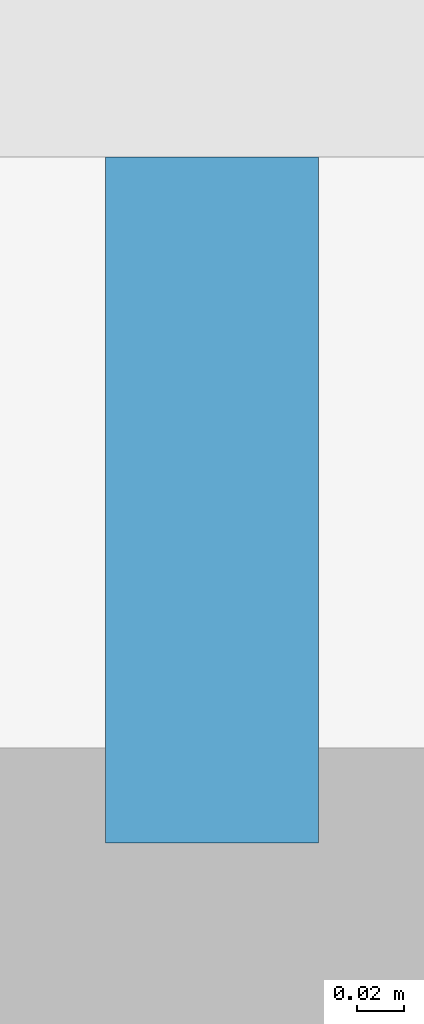
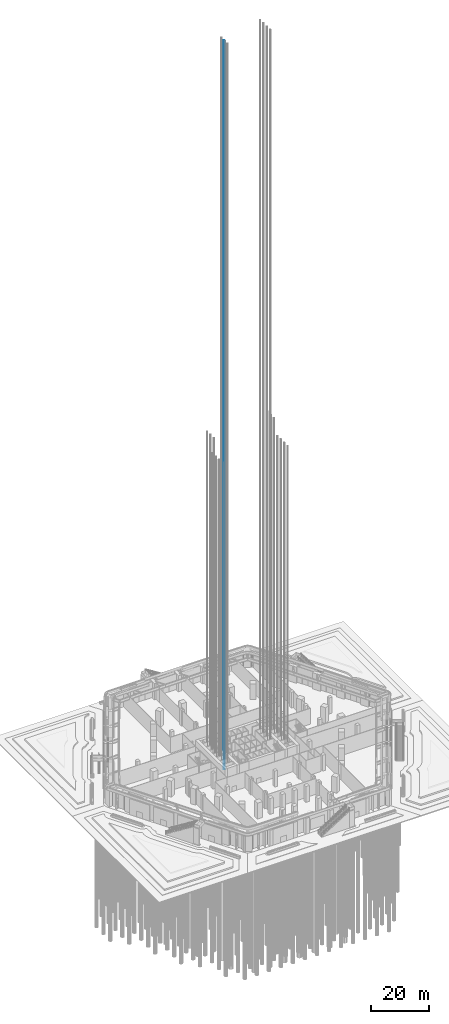
# One storey, part 41 of 68: 1 discrete accessory.
"""IFC4 building model written with IfcOpenShell, lengths in metres."""

from ifc_helpers import new_model, si_unit, direction, frame, origin, origin_2d, place, context, subcontext, project, spatial, rectangle, extrude, element, save


model = new_model("IFC4")

# Units and contexts
model_context = context("Model", 3, precision=1e-05, world=origin(), true_north=direction((0.0, 1.0)))
body_context = subcontext(model_context, "Body", "Model", "MODEL_VIEW")
ifc_project = project(units=[si_unit("LENGTHUNIT", "METRE"), si_unit("AREAUNIT", "SQUARE_METRE"), si_unit("VOLUMEUNIT", "CUBIC_METRE"), si_unit("PLANEANGLEUNIT", "RADIAN"), si_unit("MASSUNIT", "GRAM", prefix="KILO")], contexts=[model_context])

# Site, building, storey
site_placement = place(None, origin())
site = spatial("IfcSite", under=ifc_project, at=site_placement, CompositionType="ELEMENT")
building_placement = place(site_placement, origin())
building = spatial("IfcBuilding", under=site, at=building_placement, Name="Kolab Exchange Tower", CompositionType="ELEMENT")
storey_placement = place(building_placement, origin())
storey = spatial("IfcBuildingStorey", under=building, at=storey_placement, Name="L00", CompositionType="ELEMENT", Elevation=0.0)

# Discrete accessory
discrete_accessory_placement = place(storey_placement, frame((-9.199951171875, 0.2548828125, -1.599853515625), z_axis=(0.0, 0.0, 1.0), x_axis=(1.0, 0.0, 0.0)))
element("IfcDiscreteAccessory", 1, at=discrete_accessory_placement, inside=storey, Name="Guide rail FF2-1", ObjectType="GUIDE RAIL", PredefinedType="USERDEFINED", context=body_context, shape_type="SweptSolid", body=[
    extrude(rectangle(XDim=0.090087890625, YDim=0.2900390625, at=origin_2d()), origin(), (0.0, 0.0, 1.0), 307.89990234375),
])

save(model, "model.ifc")
